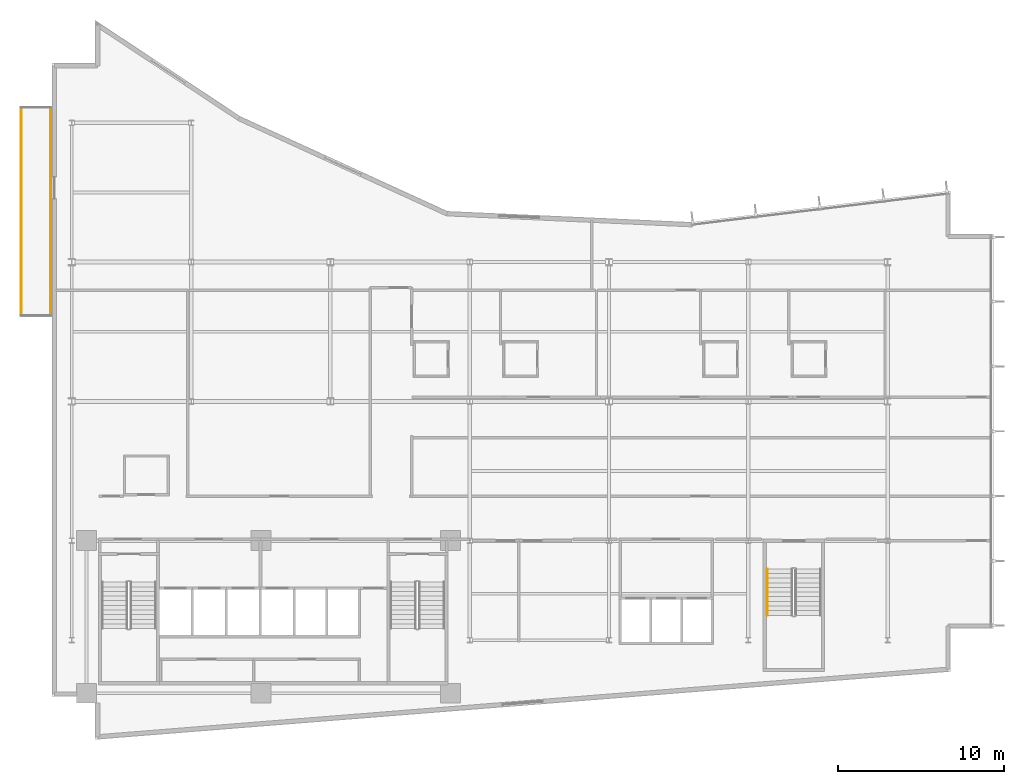
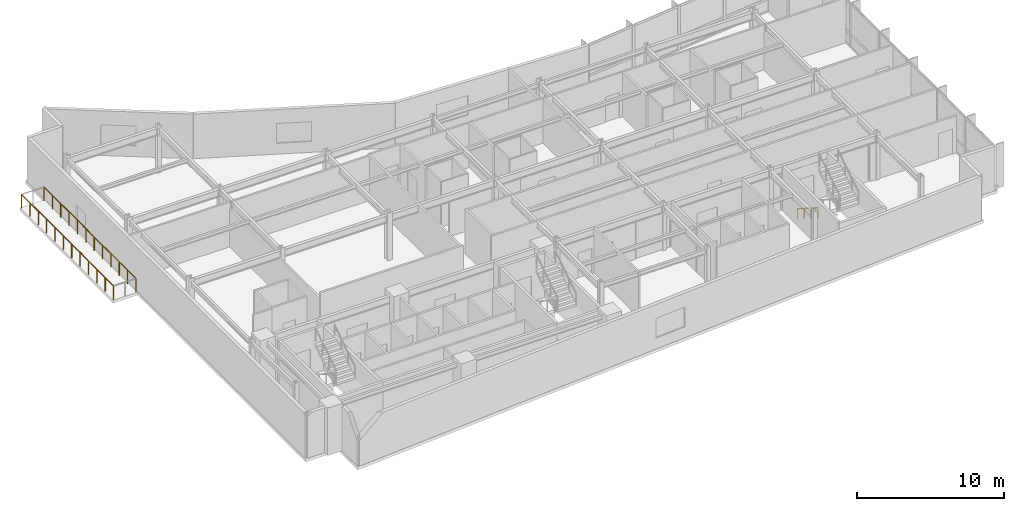
# One storey, part 15 of 18: 3 railings.
"""IFC4 building model written with IfcOpenShell, lengths in metres."""

from ifc_helpers import new_model, si_unit, direction, frame, origin, origin_2d, place, context, subcontext, project, spatial, circle, extrude, material, type_object, element, save


model = new_model("IFC4")

# Units and contexts
model_context = context("Model", 3, precision=1e-05, world=origin(), true_north=direction((0.0, 1.0)))
body_context = subcontext(model_context, "Body", "Model", "MODEL_VIEW")
ifc_project = project(units=[si_unit("LENGTHUNIT", "METRE"), si_unit("AREAUNIT", "SQUARE_METRE"), si_unit("VOLUMEUNIT", "CUBIC_METRE"), si_unit("PLANEANGLEUNIT", "RADIAN"), si_unit("MASSUNIT", "GRAM", prefix="KILO")], contexts=[model_context])

# Site, building, storey
site_placement = place(None, origin())
site = spatial("IfcSite", under=ifc_project, at=site_placement, CompositionType="ELEMENT")
building_placement = place(site_placement, origin())
building = spatial("IfcBuilding", under=site, at=building_placement, Name="Varnakote Quay Hospital", CompositionType="ELEMENT")
storey_placement = place(building_placement, frame((0.0, 0.0, 142.85009765625)))
storey = spatial("IfcBuildingStorey", under=building, at=storey_placement, Name="L35", CompositionType="ELEMENT", Elevation=142.85009765625)

# Railings
ifc_material_1 = material(Name="Anodised aluminium 6063-T6 Bronze", Category="aluminium")
railing_type_1 = type_object("IfcRailingType", Name="RLG-EXT-GUARD-1150", PredefinedType="GUARDRAIL", material=ifc_material_1)
railing_1_placement = place(storey_placement, frame((-1.840087890625, 25.580078125, 0.0)))
element("IfcRailing", 1, at=railing_1_placement, inside=storey, type_object=railing_type_1, Name="L35 Zigzag Prow Healing Terrace Safety Guard", PredefinedType="GUARDRAIL", context=body_context, shape_type="SweptSolid", body=[
    extrude(circle(Radius=0.02392578125, at=origin_2d()), frame((0.0, 0.0, 1.1259765625), z_axis=(0.0, 1.0, 0.0), x_axis=(-1.0, 0.0, 0.0)), (0.0, 0.0, 1.0), 12.5400390625),
    extrude(circle(Radius=0.02099609375, at=origin_2d()), origin(), (0.0, 0.0, 1.0), 1.101806640625),
    extrude(circle(Radius=0.02099609375, at=origin_2d()), frame((0.0, 1.139892578125, 0.0)), (0.0, 0.0, 1.0), 1.101806640625),
    extrude(circle(Radius=0.02099609375, at=origin_2d()), frame((0.0, 2.280029296875, 0.0)), (0.0, 0.0, 1.0), 1.101806640625),
    extrude(circle(Radius=0.02099609375, at=origin_2d()), frame((0.0, 3.419921875, 0.0)), (0.0, 0.0, 1.0), 1.101806640625),
    extrude(circle(Radius=0.02099609375, at=origin_2d()), frame((0.0, 4.56005859375, 0.0)), (0.0, 0.0, 1.0), 1.101806640625),
    extrude(circle(Radius=0.02099609375, at=origin_2d()), frame((0.0, 5.699951171875, 0.0)), (0.0, 0.0, 1.0), 1.101806640625),
    extrude(circle(Radius=0.02099609375, at=origin_2d()), frame((0.0, 6.840087890625, 0.0)), (0.0, 0.0, 1.0), 1.101806640625),
    extrude(circle(Radius=0.02099609375, at=origin_2d()), frame((0.0, 7.97998046875, 0.0)), (0.0, 0.0, 1.0), 1.101806640625),
    extrude(circle(Radius=0.02099609375, at=origin_2d()), frame((0.0, 9.1201171875, 0.0)), (0.0, 0.0, 1.0), 1.101806640625),
    extrude(circle(Radius=0.02099609375, at=origin_2d()), frame((0.0, 10.260009765625, 0.0)), (0.0, 0.0, 1.0), 1.101806640625),
    extrude(circle(Radius=0.02099609375, at=origin_2d()), frame((0.0, 11.400146484375, 0.0)), (0.0, 0.0, 1.0), 1.101806640625),
    extrude(circle(Radius=0.02099609375, at=origin_2d()), frame((0.0, 12.5400390625, 0.0)), (0.0, 0.0, 1.0), 1.101806640625),
])
railing_2_placement = place(storey_placement, frame((-0.075927734375, 38.1201171875, 0.0)))
element("IfcRailing", 2, at=railing_2_placement, inside=storey, type_object=railing_type_1, Name="L35 Zigzag Prow Healing Terrace Safety Guard", PredefinedType="GUARDRAIL", context=body_context, shape_type="SweptSolid", body=[
    extrude(circle(Radius=0.02392578125, at=origin_2d()), frame((0.0, 0.0, 1.1259765625), z_axis=(0.0, -1.0, 0.0), x_axis=(1.0, 0.0, 0.0)), (0.0, 0.0, 1.0), 12.5400390625),
    extrude(circle(Radius=0.02099609375, at=origin_2d()), origin(), (0.0, 0.0, 1.0), 1.101806640625),
    extrude(circle(Radius=0.02099609375, at=origin_2d()), frame((0.0, -1.139892578125, 0.0)), (0.0, 0.0, 1.0), 1.101806640625),
    extrude(circle(Radius=0.02099609375, at=origin_2d()), frame((0.0, -2.280029296875, 0.0)), (0.0, 0.0, 1.0), 1.101806640625),
    extrude(circle(Radius=0.02099609375, at=origin_2d()), frame((0.0, -3.419921875, 0.0)), (0.0, 0.0, 1.0), 1.101806640625),
    extrude(circle(Radius=0.02099609375, at=origin_2d()), frame((0.0, -4.56005859375, 0.0)), (0.0, 0.0, 1.0), 1.101806640625),
    extrude(circle(Radius=0.02099609375, at=origin_2d()), frame((0.0, -5.699951171875, 0.0)), (0.0, 0.0, 1.0), 1.101806640625),
    extrude(circle(Radius=0.02099609375, at=origin_2d()), frame((0.0, -6.840087890625, 0.0)), (0.0, 0.0, 1.0), 1.101806640625),
    extrude(circle(Radius=0.02099609375, at=origin_2d()), frame((0.0, -7.97998046875, 0.0)), (0.0, 0.0, 1.0), 1.101806640625),
    extrude(circle(Radius=0.02099609375, at=origin_2d()), frame((0.0, -9.1201171875, 0.0)), (0.0, 0.0, 1.0), 1.101806640625),
    extrude(circle(Radius=0.02099609375, at=origin_2d()), frame((0.0, -10.260009765625, 0.0)), (0.0, 0.0, 1.0), 1.101806640625),
    extrude(circle(Radius=0.02099609375, at=origin_2d()), frame((0.0, -11.400146484375, 0.0)), (0.0, 0.0, 1.0), 1.101806640625),
    extrude(circle(Radius=0.02099609375, at=origin_2d()), frame((0.0, -12.5400390625, 0.0)), (0.0, 0.0, 1.0), 1.101806640625),
])
ifc_material_2 = material(Name="Brushed stainless steel handrail", Category="steel")
railing_type_2 = type_object("IfcRailingType", Name="RLG-STAIR-HND-920", PredefinedType="HANDRAIL", material=ifc_material_2)
railing_3_placement = place(storey_placement, frame((43.14990234375, 10.300048828125, 0.179443359375)))
element("IfcRailing", 3, at=railing_3_placement, inside=storey, type_object=railing_type_2, Name="L35 ST-03 stair handrail 1", PredefinedType="HANDRAIL", context=body_context, shape_type="SweptSolid", body=[
    extrude(circle(Radius=0.02392578125, at=origin_2d()), frame((0.0, 0.0, 0.8759765625), z_axis=(0.0, -0.841809871826, 0.539774156196), x_axis=(1.0, 0.0, 0.0)), (0.0, 0.0, 1.0), 3.326171875),
    extrude(circle(Radius=0.02099609375, at=origin_2d()), origin(), (0.0, 0.0, 1.0), 0.851806640625),
    extrude(circle(Radius=0.02099609375, at=origin_2d()), frame((0.0, -0.933349609375, 0.598388671875)), (0.0, 0.0, 1.0), 0.851806640625),
    extrude(circle(Radius=0.02099609375, at=origin_2d()), frame((0.0, -1.86669921875, 1.197021484375)), (0.0, 0.0, 1.0), 0.851806640625),
    extrude(circle(Radius=0.02099609375, at=origin_2d()), frame((0.0, -2.800048828125, 1.79541015625)), (0.0, 0.0, 1.0), 0.851806640625),
])

save(model, "model.ifc")
